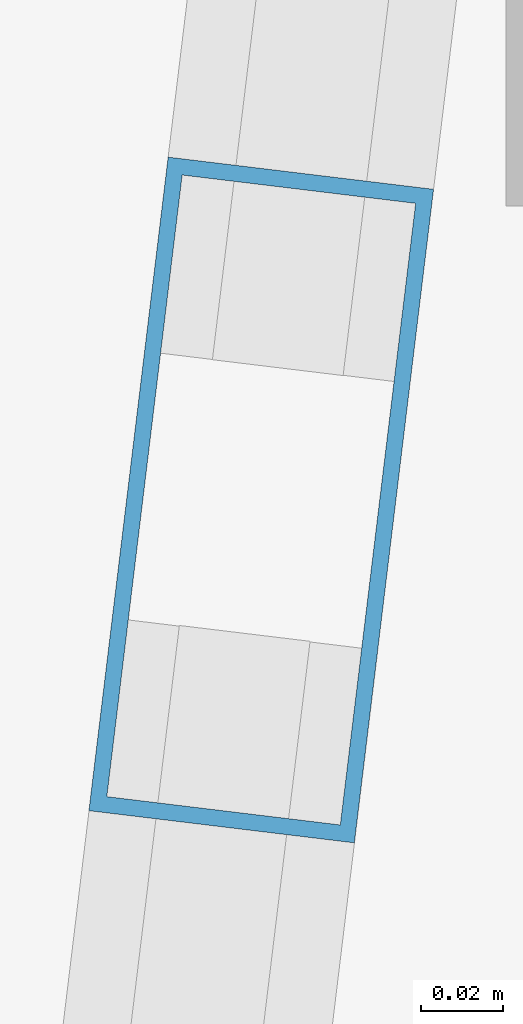
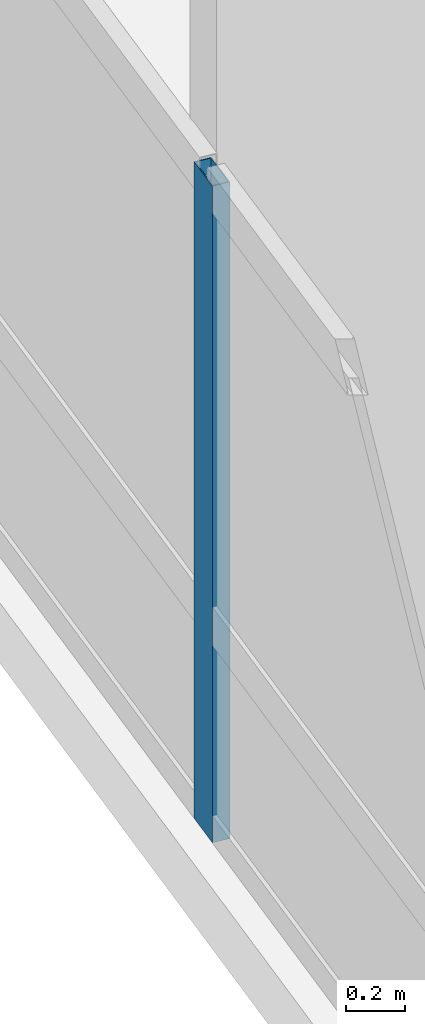
# One storey, part 4 of 26: 1 member, 1 element without a shape of its own.
"""IFC4 building model written with IfcOpenShell, lengths in metres."""

from ifc_helpers import new_model, si_unit, direction, frame, origin, origin_2d, place, context, subcontext, project, spatial, hollow_rectangle, extrude, material, layer, layer_set, material_profile, profile_set, type_object, element, aggregate, save


model = new_model("IFC4")

# Units and contexts
model_context = context("Model", 3, precision=1e-05, world=origin(), true_north=direction((0.0, 1.0)))
body_context = subcontext(model_context, "Body", "Model", "MODEL_VIEW")
ifc_project = project(units=[si_unit("LENGTHUNIT", "METRE"), si_unit("AREAUNIT", "SQUARE_METRE"), si_unit("VOLUMEUNIT", "CUBIC_METRE"), si_unit("PLANEANGLEUNIT", "RADIAN"), si_unit("MASSUNIT", "GRAM", prefix="KILO")], contexts=[model_context])

# Site, building, storey
site_placement = place(None, origin())
site = spatial("IfcSite", under=ifc_project, at=site_placement, CompositionType="ELEMENT")
building_placement = place(site_placement, origin())
building = spatial("IfcBuilding", under=site, at=building_placement, Name="Varnelok Gate Tower", CompositionType="ELEMENT")
storey_placement = place(building_placement, frame((0.0, 0.0, 121.699951171875)))
storey = spatial("IfcBuildingStorey", under=building, at=storey_placement, Name="L30", CompositionType="ELEMENT", Elevation=121.699951171875)

# Curtain wall, member
ifc_material = material(Name="Anodized Aluminum Alloy 6063-T6", Category="aluminium")
ifc_layer = layer(ifc_material, 0.179931640625)
ifc_layer_set = layer_set([ifc_layer], Name="Anodized Aluminum Alloy 6063-T6")
curtain_wall_type = type_object("IfcCurtainWallType", Name="CW3-HOTEL-VISION", PredefinedType="USERDEFINED", material=ifc_layer_set)
curtain_wall_placement = place(storey_placement, origin())
curtain_wall = element("IfcCurtainWall", 1, at=curtain_wall_placement, inside=storey, type_object=curtain_wall_type, Name="L30 West End Vision Curtain Wall", ObjectType="UNITISED CURTAIN WALL", PredefinedType="USERDEFINED")
ifc_material_profile = material_profile(ifc_material, hollow_rectangle(XDim=0.06494140625, YDim=0.159912109375, WallThickness=0.00390625, at=origin_2d()), Name="ALU160X65X4")
ifc_profile_set = profile_set([ifc_material_profile], Name="Anodized Aluminum Alloy 6063-T6")
member_type = type_object("IfcMemberType", Name="CW-MULL-160", PredefinedType="MULLION", material=ifc_profile_set)
member_placement = place(storey_placement, frame((1.109619140625, 19.03857421875, 0.0), z_axis=(0.0, 0.0, 1.0), x_axis=(-0.99273188146, 0.120347046212, 0.0)))
member = element("IfcMember", 2, at=member_placement, type_object=member_type, Name="CW3 mullion 2", PredefinedType="MULLION", context=body_context, shape_type="SweptSolid", body=[
    extrude(hollow_rectangle(XDim=0.06494140625, YDim=0.159912109375, WallThickness=0.00390625, at=origin_2d()), origin(), (0.0, 0.0, 1.0), 2.72998046875),
])
aggregate(curtain_wall, [member])

save(model, "model.ifc")
